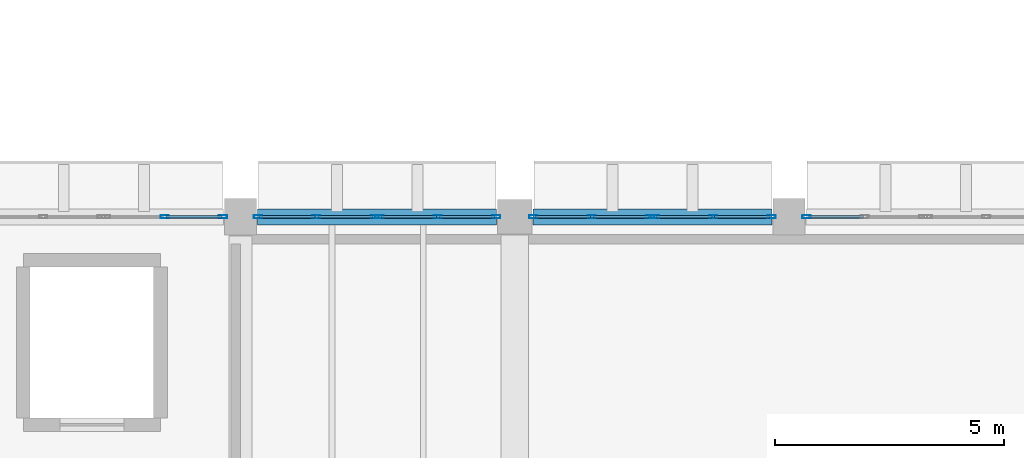
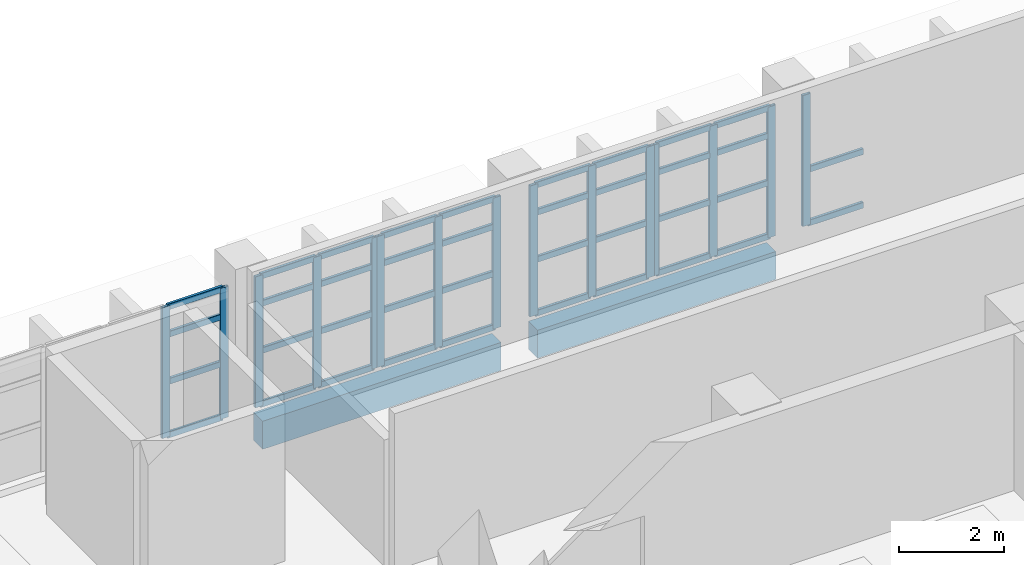
# One storey, part 35 of 80: 53 members, 2 beams, 6 elements without a shape of their own.
"""IFC4 building model written with IfcOpenShell, lengths in metres."""

from ifc_helpers import new_model, si_unit, direction, frame, origin, origin_2d, place, context, subcontext, project, spatial, rectangle, hollow_rectangle, extrude, material, material_profile, profile_set, type_object, element, aggregate, save


model = new_model("IFC4")

# Units and contexts
model_context = context("Model", 3, precision=1e-05, world=origin(), true_north=direction((0.0, 1.0)))
body_context = subcontext(model_context, "Body", "Model", "MODEL_VIEW")
ifc_project = project(units=[si_unit("LENGTHUNIT", "METRE"), si_unit("AREAUNIT", "SQUARE_METRE"), si_unit("VOLUMEUNIT", "CUBIC_METRE"), si_unit("PLANEANGLEUNIT", "RADIAN"), si_unit("MASSUNIT", "GRAM", prefix="KILO")], contexts=[model_context])

# Site, building, storey
site_placement = place(None, origin())
site = spatial("IfcSite", under=ifc_project, at=site_placement, CompositionType="ELEMENT")
building_placement = place(site_placement, origin())
building = spatial("IfcBuilding", under=site, at=building_placement, Name="Varnakota Cinema and Media Centre", CompositionType="ELEMENT")
storey_placement = place(building_placement, frame((0.0, 0.0, 4.5)))
storey = spatial("IfcBuildingStorey", under=building, at=storey_placement, Name="L01", CompositionType="ELEMENT", Elevation=4.5)

# Beams
ifc_material_1 = material(Name="Concrete M40", Category="concrete")
ifc_material_profile_1 = material_profile(ifc_material_1, rectangle(XDim=0.35009765625, YDim=0.64990234375, at=origin_2d()), Name="RCB 350x650")
ifc_profile_set_1 = profile_set([ifc_material_profile_1], Name="Concrete M40")
beam_type = type_object("IfcBeamType", Name="BM-SP-350x650", PredefinedType="SPANDREL", material=ifc_profile_set_1)
for number, where, z_axis, x_axis, name in (
    (1, (81.375, 44.0, -0.574951171875), (1.0, 0.0, 0.0), (0.0, 1.0, 0.0), "L01 girder L-M/6"),
    (2, (87.39990234375, 44.0, -0.574951171875), (1.0, 0.0, 0.0), (0.0, 1.0, 0.0), "L01 girder M-N/6"),
):
    element("IfcBeam", number, at=place(storey_placement, frame(where, z_axis=z_axis, x_axis=x_axis)), inside=storey, type_object=beam_type, Name=name, PredefinedType="SPANDREL", context=body_context, shape_type="SweptSolid", body=[
        extrude(rectangle(XDim=0.35009765625, YDim=0.64990234375, at=origin_2d()), origin(), (0.0, 0.0, 1.0), 5.22509765625),
    ])

# Curtain wall, members
ifc_material_2 = material(Name="Thermally broken anodised aluminium AW-6063", Category="aluminium")
curtain_wall_type = type_object("IfcCurtainWallType", Name="CW-STD-262x304", PredefinedType="USERDEFINED", material=ifc_material_2)
curtain_wall_1_placement = place(storey_placement, origin())
curtain_wall_1 = element("IfcCurtainWall", 3, at=curtain_wall_1_placement, inside=storey, type_object=curtain_wall_type, Name="L01 curtain wall CW-L01-V1-N-01-2", ObjectType="UNITISED CURTAIN WALL", PredefinedType="USERDEFINED")
ifc_material_3 = material(Name="Thermally broken anodised aluminium AW-6063", Category="aluminium")
ifc_material_profile_2 = material_profile(ifc_material_3, hollow_rectangle(XDim=0.06494140625, YDim=0.179931640625, WallThickness=0.00390625, InnerFilletRadius=0.00390625, OuterFilletRadius=0.008056640625, at=origin_2d()), Name="AL-MULLION 180x65x4")
ifc_profile_set_2 = profile_set([ifc_material_profile_2], Name="Thermally broken anodised aluminium AW-6063")
member_type_1 = type_object("IfcMemberType", Name="CWM-AL-180", PredefinedType="MULLION", material=ifc_profile_set_2)
member_1_placement = place(storey_placement, frame((79.34130859375, 44.0, 0.0), z_axis=(0.0, 0.0, 1.0), x_axis=(0.0, 1.0, 0.0)))
member_1 = element("IfcMember", 4, at=member_1_placement, type_object=member_type_1, Name="CW17 mullion 2", PredefinedType="MULLION", context=body_context, shape_type="SweptSolid", body=[
    extrude(hollow_rectangle(XDim=0.06494140625, YDim=0.179931640625, WallThickness=0.00390625, InnerFilletRadius=0.00390625, OuterFilletRadius=0.008056640625, at=origin_2d()), origin(), (0.0, 0.0, 1.0), 3.034912109375),
])
member_2_placement = place(storey_placement, frame((80.617431640625, 44.0, 0.0), z_axis=(0.0, 0.0, 1.0), x_axis=(0.0, 1.0, 0.0)))
member_2 = element("IfcMember", 5, at=member_2_placement, type_object=member_type_1, Name="CW17 mullion 3", PredefinedType="MULLION", context=body_context, shape_type="SweptSolid", body=[
    extrude(hollow_rectangle(XDim=0.06494140625, YDim=0.179931640625, WallThickness=0.00390625, InnerFilletRadius=0.00390625, OuterFilletRadius=0.008056640625, at=origin_2d()), origin(), (0.0, 0.0, 1.0), 3.034912109375),
])

curtain_wall_2_placement = place(storey_placement, origin())
curtain_wall_2 = element("IfcCurtainWall", 6, at=curtain_wall_2_placement, inside=storey, type_object=curtain_wall_type, Name="L01 curtain wall CW-L01-V1-N-02-1", ObjectType="UNITISED CURTAIN WALL", PredefinedType="USERDEFINED")
member_3_placement = place(storey_placement, frame((81.382568359375, 44.0, 0.0), z_axis=(0.0, 0.0, 1.0), x_axis=(0.0, 1.0, 0.0)))
member_3 = element("IfcMember", 7, at=member_3_placement, type_object=member_type_1, Name="CW17 mullion 1", PredefinedType="MULLION", context=body_context, shape_type="SweptSolid", body=[
    extrude(hollow_rectangle(XDim=0.06494140625, YDim=0.179931640625, WallThickness=0.00390625, InnerFilletRadius=0.00390625, OuterFilletRadius=0.008056640625, at=origin_2d()), origin(), (0.0, 0.0, 1.0), 3.034912109375),
])
member_4_placement = place(storey_placement, frame((82.65869140625, 44.0, 0.0), z_axis=(0.0, 0.0, 1.0), x_axis=(0.0, 1.0, 0.0)))
member_4 = element("IfcMember", 8, at=member_4_placement, type_object=member_type_1, Name="CW17 mullion 2", PredefinedType="MULLION", context=body_context, shape_type="SweptSolid", body=[
    extrude(hollow_rectangle(XDim=0.06494140625, YDim=0.179931640625, WallThickness=0.00390625, InnerFilletRadius=0.00390625, OuterFilletRadius=0.008056640625, at=origin_2d()), origin(), (0.0, 0.0, 1.0), 3.034912109375),
])
member_5_placement = place(storey_placement, frame((83.93505859375, 44.0, 0.0), z_axis=(0.0, 0.0, 1.0), x_axis=(0.0, 1.0, 0.0)))
member_5 = element("IfcMember", 9, at=member_5_placement, type_object=member_type_1, Name="CW17 mullion 3", PredefinedType="MULLION", context=body_context, shape_type="SweptSolid", body=[
    extrude(hollow_rectangle(XDim=0.06494140625, YDim=0.179931640625, WallThickness=0.00390625, InnerFilletRadius=0.00390625, OuterFilletRadius=0.008056640625, at=origin_2d()), origin(), (0.0, 0.0, 1.0), 3.034912109375),
])

curtain_wall_3_placement = place(storey_placement, origin())
curtain_wall_3 = element("IfcCurtainWall", 10, at=curtain_wall_3_placement, inside=storey, type_object=curtain_wall_type, Name="L01 curtain wall CW-L01-V1-N-02-2", ObjectType="UNITISED CURTAIN WALL", PredefinedType="USERDEFINED")
member_6_placement = place(storey_placement, frame((84.0400390625, 44.0, 0.0), z_axis=(0.0, 0.0, 1.0), x_axis=(0.0, 1.0, 0.0)))
member_6 = element("IfcMember", 11, at=member_6_placement, type_object=member_type_1, Name="CW17 mullion 1", PredefinedType="MULLION", context=body_context, shape_type="SweptSolid", body=[
    extrude(hollow_rectangle(XDim=0.06494140625, YDim=0.179931640625, WallThickness=0.00390625, InnerFilletRadius=0.00390625, OuterFilletRadius=0.008056640625, at=origin_2d()), origin(), (0.0, 0.0, 1.0), 3.034912109375),
])
member_7_placement = place(storey_placement, frame((85.316162109375, 44.0, 0.0), z_axis=(0.0, 0.0, 1.0), x_axis=(0.0, 1.0, 0.0)))
member_7 = element("IfcMember", 12, at=member_7_placement, type_object=member_type_1, Name="CW17 mullion 2", PredefinedType="MULLION", context=body_context, shape_type="SweptSolid", body=[
    extrude(hollow_rectangle(XDim=0.06494140625, YDim=0.179931640625, WallThickness=0.00390625, InnerFilletRadius=0.00390625, OuterFilletRadius=0.008056640625, at=origin_2d()), origin(), (0.0, 0.0, 1.0), 3.034912109375),
])
member_8_placement = place(storey_placement, frame((86.592529296875, 44.0, 0.0), z_axis=(0.0, 0.0, 1.0), x_axis=(0.0, 1.0, 0.0)))
member_8 = element("IfcMember", 13, at=member_8_placement, type_object=member_type_1, Name="CW17 mullion 3", PredefinedType="MULLION", context=body_context, shape_type="SweptSolid", body=[
    extrude(hollow_rectangle(XDim=0.06494140625, YDim=0.179931640625, WallThickness=0.00390625, InnerFilletRadius=0.00390625, OuterFilletRadius=0.008056640625, at=origin_2d()), origin(), (0.0, 0.0, 1.0), 3.034912109375),
])

curtain_wall_4_placement = place(storey_placement, origin())
curtain_wall_4 = element("IfcCurtainWall", 14, at=curtain_wall_4_placement, inside=storey, type_object=curtain_wall_type, Name="L01 curtain wall CW-L01-V1-N-03-1", ObjectType="UNITISED CURTAIN WALL", PredefinedType="USERDEFINED")
member_9_placement = place(storey_placement, frame((87.407470703125, 44.0, 0.0), z_axis=(0.0, 0.0, 1.0), x_axis=(0.0, 1.0, 0.0)))
member_9 = element("IfcMember", 15, at=member_9_placement, type_object=member_type_1, Name="CW17 mullion 1", PredefinedType="MULLION", context=body_context, shape_type="SweptSolid", body=[
    extrude(hollow_rectangle(XDim=0.06494140625, YDim=0.179931640625, WallThickness=0.00390625, InnerFilletRadius=0.00390625, OuterFilletRadius=0.008056640625, at=origin_2d()), origin(), (0.0, 0.0, 1.0), 3.034912109375),
])
member_10_placement = place(storey_placement, frame((88.683837890625, 44.0, 0.0), z_axis=(0.0, 0.0, 1.0), x_axis=(0.0, 1.0, 0.0)))
member_10 = element("IfcMember", 16, at=member_10_placement, type_object=member_type_1, Name="CW17 mullion 2", PredefinedType="MULLION", context=body_context, shape_type="SweptSolid", body=[
    extrude(hollow_rectangle(XDim=0.06494140625, YDim=0.179931640625, WallThickness=0.00390625, InnerFilletRadius=0.00390625, OuterFilletRadius=0.008056640625, at=origin_2d()), origin(), (0.0, 0.0, 1.0), 3.034912109375),
])
member_11_placement = place(storey_placement, frame((89.9599609375, 44.0, 0.0), z_axis=(0.0, 0.0, 1.0), x_axis=(0.0, 1.0, 0.0)))
member_11 = element("IfcMember", 17, at=member_11_placement, type_object=member_type_1, Name="CW17 mullion 3", PredefinedType="MULLION", context=body_context, shape_type="SweptSolid", body=[
    extrude(hollow_rectangle(XDim=0.06494140625, YDim=0.179931640625, WallThickness=0.00390625, InnerFilletRadius=0.00390625, OuterFilletRadius=0.008056640625, at=origin_2d()), origin(), (0.0, 0.0, 1.0), 3.034912109375),
])

curtain_wall_5_placement = place(storey_placement, origin())
curtain_wall_5 = element("IfcCurtainWall", 18, at=curtain_wall_5_placement, inside=storey, type_object=curtain_wall_type, Name="L01 curtain wall CW-L01-V1-N-03-2", ObjectType="UNITISED CURTAIN WALL", PredefinedType="USERDEFINED")
member_12_placement = place(storey_placement, frame((90.06494140625, 44.0, 0.0), z_axis=(0.0, 0.0, 1.0), x_axis=(0.0, 1.0, 0.0)))
member_12 = element("IfcMember", 19, at=member_12_placement, type_object=member_type_1, Name="CW17 mullion 1", PredefinedType="MULLION", context=body_context, shape_type="SweptSolid", body=[
    extrude(hollow_rectangle(XDim=0.06494140625, YDim=0.179931640625, WallThickness=0.00390625, InnerFilletRadius=0.00390625, OuterFilletRadius=0.008056640625, at=origin_2d()), origin(), (0.0, 0.0, 1.0), 3.034912109375),
])
member_13_placement = place(storey_placement, frame((91.34130859375, 44.0, 0.0), z_axis=(0.0, 0.0, 1.0), x_axis=(0.0, 1.0, 0.0)))
member_13 = element("IfcMember", 20, at=member_13_placement, type_object=member_type_1, Name="CW17 mullion 2", PredefinedType="MULLION", context=body_context, shape_type="SweptSolid", body=[
    extrude(hollow_rectangle(XDim=0.06494140625, YDim=0.179931640625, WallThickness=0.00390625, InnerFilletRadius=0.00390625, OuterFilletRadius=0.008056640625, at=origin_2d()), origin(), (0.0, 0.0, 1.0), 3.034912109375),
])
member_14_placement = place(storey_placement, frame((92.617431640625, 44.0, 0.0), z_axis=(0.0, 0.0, 1.0), x_axis=(0.0, 1.0, 0.0)))
member_14 = element("IfcMember", 21, at=member_14_placement, type_object=member_type_1, Name="CW17 mullion 3", PredefinedType="MULLION", context=body_context, shape_type="SweptSolid", body=[
    extrude(hollow_rectangle(XDim=0.06494140625, YDim=0.179931640625, WallThickness=0.00390625, InnerFilletRadius=0.00390625, OuterFilletRadius=0.008056640625, at=origin_2d()), origin(), (0.0, 0.0, 1.0), 3.034912109375),
])

# Curtain wall, member
curtain_wall_6_placement = place(storey_placement, origin())
curtain_wall_6 = element("IfcCurtainWall", 22, at=curtain_wall_6_placement, inside=storey, type_object=curtain_wall_type, Name="L01 curtain wall CW-L01-V1-N-04-1", ObjectType="UNITISED CURTAIN WALL", PredefinedType="USERDEFINED")
member_15_placement = place(storey_placement, frame((93.382568359375, 44.0, 0.0), z_axis=(0.0, 0.0, 1.0), x_axis=(0.0, 1.0, 0.0)))
member_15 = element("IfcMember", 23, at=member_15_placement, type_object=member_type_1, Name="CW17 mullion 1", PredefinedType="MULLION", context=body_context, shape_type="SweptSolid", body=[
    extrude(hollow_rectangle(XDim=0.06494140625, YDim=0.179931640625, WallThickness=0.00390625, InnerFilletRadius=0.00390625, OuterFilletRadius=0.008056640625, at=origin_2d()), origin(), (0.0, 0.0, 1.0), 3.034912109375),
])

# Member
ifc_material_4 = material(Name="Thermally broken anodised aluminium AW-6063", Category="aluminium")
ifc_material_profile_3 = material_profile(ifc_material_4, hollow_rectangle(XDim=0.06494140625, YDim=0.139892578125, WallThickness=0.00390625, InnerFilletRadius=0.00390625, OuterFilletRadius=0.008056640625, at=origin_2d()), Name="AL-TRANSOM 140x65x4")
ifc_profile_set_3 = profile_set([ifc_material_profile_3], Name="Thermally broken anodised aluminium AW-6063")
member_type_2 = type_object("IfcMemberType", Name="CWT-AL-140", PredefinedType="USERDEFINED", material=ifc_profile_set_3)
member_16_placement = place(storey_placement, frame((79.373779296875, 44.0, 0.032470703125), z_axis=(1.0, 0.0, 0.0), x_axis=(0.0, 1.0, 0.0)))
member_16 = element("IfcMember", 24, at=member_16_placement, type_object=member_type_2, Name="CW17 transom 2.1", ObjectType="TRANSOM", PredefinedType="USERDEFINED", context=body_context, shape_type="SweptSolid", body=[
    extrude(hollow_rectangle(XDim=0.06494140625, YDim=0.139892578125, WallThickness=0.00390625, InnerFilletRadius=0.00390625, OuterFilletRadius=0.008056640625, at=origin_2d()), origin(), (0.0, 0.0, 1.0), 1.211181640625),
])

member_17_placement = place(storey_placement, frame((79.373779296875, 44.0, 1.274658203125), z_axis=(1.0, 0.0, 0.0), x_axis=(0.0, 1.0, 0.0)))
member_17 = element("IfcMember", 25, at=member_17_placement, type_object=member_type_2, Name="CW17 transom 2.2", ObjectType="TRANSOM", PredefinedType="USERDEFINED", context=body_context, shape_type="SweptSolid", body=[
    extrude(hollow_rectangle(XDim=0.06494140625, YDim=0.139892578125, WallThickness=0.00390625, InnerFilletRadius=0.00390625, OuterFilletRadius=0.008056640625, at=origin_2d()), origin(), (0.0, 0.0, 1.0), 1.211181640625),
])

member_18_placement = place(storey_placement, frame((79.373779296875, 44.0, 2.3671875), z_axis=(1.0, 0.0, 0.0), x_axis=(0.0, 1.0, 0.0)))
member_18 = element("IfcMember", 26, at=member_18_placement, type_object=member_type_2, Name="CW17 transom 2.3", ObjectType="TRANSOM", PredefinedType="USERDEFINED", context=body_context, shape_type="SweptSolid", body=[
    extrude(hollow_rectangle(XDim=0.06494140625, YDim=0.139892578125, WallThickness=0.00390625, InnerFilletRadius=0.00390625, OuterFilletRadius=0.008056640625, at=origin_2d()), origin(), (0.0, 0.0, 1.0), 1.211181640625),
])

member_19_placement = place(storey_placement, frame((79.373779296875, 44.0, 3.00244140625), z_axis=(1.0, 0.0, 0.0), x_axis=(0.0, 1.0, 0.0)))
member_19 = element("IfcMember", 27, at=member_19_placement, type_object=member_type_2, Name="CW17 transom 2.4", ObjectType="TRANSOM", PredefinedType="USERDEFINED", context=body_context, shape_type="SweptSolid", body=[
    extrude(hollow_rectangle(XDim=0.06494140625, YDim=0.139892578125, WallThickness=0.00390625, InnerFilletRadius=0.00390625, OuterFilletRadius=0.008056640625, at=origin_2d()), origin(), (0.0, 0.0, 1.0), 1.211181640625),
])

aggregate(curtain_wall_1, [member_1, member_2, member_16, member_17, member_18, member_19])

member_20_placement = place(storey_placement, frame((81.4150390625, 44.0, 0.032470703125), z_axis=(1.0, 0.0, 0.0), x_axis=(0.0, 1.0, 0.0)))
member_20 = element("IfcMember", 28, at=member_20_placement, type_object=member_type_2, Name="CW17 transom 1.1", ObjectType="TRANSOM", PredefinedType="USERDEFINED", context=body_context, shape_type="SweptSolid", body=[
    extrude(hollow_rectangle(XDim=0.06494140625, YDim=0.139892578125, WallThickness=0.00390625, InnerFilletRadius=0.00390625, OuterFilletRadius=0.008056640625, at=origin_2d()), origin(), (0.0, 0.0, 1.0), 1.211181640625),
])

member_21_placement = place(storey_placement, frame((81.4150390625, 44.0, 1.274658203125), z_axis=(1.0, 0.0, 0.0), x_axis=(0.0, 1.0, 0.0)))
member_21 = element("IfcMember", 29, at=member_21_placement, type_object=member_type_2, Name="CW17 transom 1.2", ObjectType="TRANSOM", PredefinedType="USERDEFINED", context=body_context, shape_type="SweptSolid", body=[
    extrude(hollow_rectangle(XDim=0.06494140625, YDim=0.139892578125, WallThickness=0.00390625, InnerFilletRadius=0.00390625, OuterFilletRadius=0.008056640625, at=origin_2d()), origin(), (0.0, 0.0, 1.0), 1.211181640625),
])

member_22_placement = place(storey_placement, frame((81.4150390625, 44.0, 2.3671875), z_axis=(1.0, 0.0, 0.0), x_axis=(0.0, 1.0, 0.0)))
member_22 = element("IfcMember", 30, at=member_22_placement, type_object=member_type_2, Name="CW17 transom 1.3", ObjectType="TRANSOM", PredefinedType="USERDEFINED", context=body_context, shape_type="SweptSolid", body=[
    extrude(hollow_rectangle(XDim=0.06494140625, YDim=0.139892578125, WallThickness=0.00390625, InnerFilletRadius=0.00390625, OuterFilletRadius=0.008056640625, at=origin_2d()), origin(), (0.0, 0.0, 1.0), 1.211181640625),
])

member_23_placement = place(storey_placement, frame((81.4150390625, 44.0, 3.00244140625), z_axis=(1.0, 0.0, 0.0), x_axis=(0.0, 1.0, 0.0)))
member_23 = element("IfcMember", 31, at=member_23_placement, type_object=member_type_2, Name="CW17 transom 1.4", ObjectType="TRANSOM", PredefinedType="USERDEFINED", context=body_context, shape_type="SweptSolid", body=[
    extrude(hollow_rectangle(XDim=0.06494140625, YDim=0.139892578125, WallThickness=0.00390625, InnerFilletRadius=0.00390625, OuterFilletRadius=0.008056640625, at=origin_2d()), origin(), (0.0, 0.0, 1.0), 1.211181640625),
])

member_24_placement = place(storey_placement, frame((82.691162109375, 44.0, 0.032470703125), z_axis=(1.0, 0.0, 0.0), x_axis=(0.0, 1.0, 0.0)))
member_24 = element("IfcMember", 32, at=member_24_placement, type_object=member_type_2, Name="CW17 transom 2.1", ObjectType="TRANSOM", PredefinedType="USERDEFINED", context=body_context, shape_type="SweptSolid", body=[
    extrude(hollow_rectangle(XDim=0.06494140625, YDim=0.139892578125, WallThickness=0.00390625, InnerFilletRadius=0.00390625, OuterFilletRadius=0.008056640625, at=origin_2d()), origin(), (0.0, 0.0, 1.0), 1.21142578125),
])

member_25_placement = place(storey_placement, frame((82.691162109375, 44.0, 1.274658203125), z_axis=(1.0, 0.0, 0.0), x_axis=(0.0, 1.0, 0.0)))
member_25 = element("IfcMember", 33, at=member_25_placement, type_object=member_type_2, Name="CW17 transom 2.2", ObjectType="TRANSOM", PredefinedType="USERDEFINED", context=body_context, shape_type="SweptSolid", body=[
    extrude(hollow_rectangle(XDim=0.06494140625, YDim=0.139892578125, WallThickness=0.00390625, InnerFilletRadius=0.00390625, OuterFilletRadius=0.008056640625, at=origin_2d()), origin(), (0.0, 0.0, 1.0), 1.21142578125),
])

member_26_placement = place(storey_placement, frame((82.691162109375, 44.0, 2.3671875), z_axis=(1.0, 0.0, 0.0), x_axis=(0.0, 1.0, 0.0)))
member_26 = element("IfcMember", 34, at=member_26_placement, type_object=member_type_2, Name="CW17 transom 2.3", ObjectType="TRANSOM", PredefinedType="USERDEFINED", context=body_context, shape_type="SweptSolid", body=[
    extrude(hollow_rectangle(XDim=0.06494140625, YDim=0.139892578125, WallThickness=0.00390625, InnerFilletRadius=0.00390625, OuterFilletRadius=0.008056640625, at=origin_2d()), origin(), (0.0, 0.0, 1.0), 1.21142578125),
])

member_27_placement = place(storey_placement, frame((82.691162109375, 44.0, 3.00244140625), z_axis=(1.0, 0.0, 0.0), x_axis=(0.0, 1.0, 0.0)))
member_27 = element("IfcMember", 35, at=member_27_placement, type_object=member_type_2, Name="CW17 transom 2.4", ObjectType="TRANSOM", PredefinedType="USERDEFINED", context=body_context, shape_type="SweptSolid", body=[
    extrude(hollow_rectangle(XDim=0.06494140625, YDim=0.139892578125, WallThickness=0.00390625, InnerFilletRadius=0.00390625, OuterFilletRadius=0.008056640625, at=origin_2d()), origin(), (0.0, 0.0, 1.0), 1.21142578125),
])

aggregate(curtain_wall_2, [member_3, member_4, member_5, member_20, member_21, member_22, member_23, member_24, member_25, member_26, member_27])

member_28_placement = place(storey_placement, frame((84.072509765625, 44.0, 0.032470703125), z_axis=(1.0, 0.0, 0.0), x_axis=(0.0, 1.0, 0.0)))
member_28 = element("IfcMember", 36, at=member_28_placement, type_object=member_type_2, Name="CW17 transom 1.1", ObjectType="TRANSOM", PredefinedType="USERDEFINED", context=body_context, shape_type="SweptSolid", body=[
    extrude(hollow_rectangle(XDim=0.06494140625, YDim=0.139892578125, WallThickness=0.00390625, InnerFilletRadius=0.00390625, OuterFilletRadius=0.008056640625, at=origin_2d()), origin(), (0.0, 0.0, 1.0), 1.211181640625),
])

member_29_placement = place(storey_placement, frame((84.072509765625, 44.0, 1.274658203125), z_axis=(1.0, 0.0, 0.0), x_axis=(0.0, 1.0, 0.0)))
member_29 = element("IfcMember", 37, at=member_29_placement, type_object=member_type_2, Name="CW17 transom 1.2", ObjectType="TRANSOM", PredefinedType="USERDEFINED", context=body_context, shape_type="SweptSolid", body=[
    extrude(hollow_rectangle(XDim=0.06494140625, YDim=0.139892578125, WallThickness=0.00390625, InnerFilletRadius=0.00390625, OuterFilletRadius=0.008056640625, at=origin_2d()), origin(), (0.0, 0.0, 1.0), 1.211181640625),
])

member_30_placement = place(storey_placement, frame((84.072509765625, 44.0, 2.3671875), z_axis=(1.0, 0.0, 0.0), x_axis=(0.0, 1.0, 0.0)))
member_30 = element("IfcMember", 38, at=member_30_placement, type_object=member_type_2, Name="CW17 transom 1.3", ObjectType="TRANSOM", PredefinedType="USERDEFINED", context=body_context, shape_type="SweptSolid", body=[
    extrude(hollow_rectangle(XDim=0.06494140625, YDim=0.139892578125, WallThickness=0.00390625, InnerFilletRadius=0.00390625, OuterFilletRadius=0.008056640625, at=origin_2d()), origin(), (0.0, 0.0, 1.0), 1.211181640625),
])

member_31_placement = place(storey_placement, frame((84.072509765625, 44.0, 3.00244140625), z_axis=(1.0, 0.0, 0.0), x_axis=(0.0, 1.0, 0.0)))
member_31 = element("IfcMember", 39, at=member_31_placement, type_object=member_type_2, Name="CW17 transom 1.4", ObjectType="TRANSOM", PredefinedType="USERDEFINED", context=body_context, shape_type="SweptSolid", body=[
    extrude(hollow_rectangle(XDim=0.06494140625, YDim=0.139892578125, WallThickness=0.00390625, InnerFilletRadius=0.00390625, OuterFilletRadius=0.008056640625, at=origin_2d()), origin(), (0.0, 0.0, 1.0), 1.211181640625),
])

member_32_placement = place(storey_placement, frame((85.3486328125, 44.0, 0.032470703125), z_axis=(1.0, 0.0, 0.0), x_axis=(0.0, 1.0, 0.0)))
member_32 = element("IfcMember", 40, at=member_32_placement, type_object=member_type_2, Name="CW17 transom 2.1", ObjectType="TRANSOM", PredefinedType="USERDEFINED", context=body_context, shape_type="SweptSolid", body=[
    extrude(hollow_rectangle(XDim=0.06494140625, YDim=0.139892578125, WallThickness=0.00390625, InnerFilletRadius=0.00390625, OuterFilletRadius=0.008056640625, at=origin_2d()), origin(), (0.0, 0.0, 1.0), 1.21142578125),
])

member_33_placement = place(storey_placement, frame((85.3486328125, 44.0, 1.274658203125), z_axis=(1.0, 0.0, 0.0), x_axis=(0.0, 1.0, 0.0)))
member_33 = element("IfcMember", 41, at=member_33_placement, type_object=member_type_2, Name="CW17 transom 2.2", ObjectType="TRANSOM", PredefinedType="USERDEFINED", context=body_context, shape_type="SweptSolid", body=[
    extrude(hollow_rectangle(XDim=0.06494140625, YDim=0.139892578125, WallThickness=0.00390625, InnerFilletRadius=0.00390625, OuterFilletRadius=0.008056640625, at=origin_2d()), origin(), (0.0, 0.0, 1.0), 1.21142578125),
])

member_34_placement = place(storey_placement, frame((85.3486328125, 44.0, 2.3671875), z_axis=(1.0, 0.0, 0.0), x_axis=(0.0, 1.0, 0.0)))
member_34 = element("IfcMember", 42, at=member_34_placement, type_object=member_type_2, Name="CW17 transom 2.3", ObjectType="TRANSOM", PredefinedType="USERDEFINED", context=body_context, shape_type="SweptSolid", body=[
    extrude(hollow_rectangle(XDim=0.06494140625, YDim=0.139892578125, WallThickness=0.00390625, InnerFilletRadius=0.00390625, OuterFilletRadius=0.008056640625, at=origin_2d()), origin(), (0.0, 0.0, 1.0), 1.21142578125),
])

member_35_placement = place(storey_placement, frame((85.3486328125, 44.0, 3.00244140625), z_axis=(1.0, 0.0, 0.0), x_axis=(0.0, 1.0, 0.0)))
member_35 = element("IfcMember", 43, at=member_35_placement, type_object=member_type_2, Name="CW17 transom 2.4", ObjectType="TRANSOM", PredefinedType="USERDEFINED", context=body_context, shape_type="SweptSolid", body=[
    extrude(hollow_rectangle(XDim=0.06494140625, YDim=0.139892578125, WallThickness=0.00390625, InnerFilletRadius=0.00390625, OuterFilletRadius=0.008056640625, at=origin_2d()), origin(), (0.0, 0.0, 1.0), 1.21142578125),
])

aggregate(curtain_wall_3, [member_6, member_7, member_8, member_28, member_29, member_30, member_31, member_32, member_33, member_34, member_35])

member_36_placement = place(storey_placement, frame((87.43994140625, 44.0, 0.032470703125), z_axis=(1.0, 0.0, 0.0), x_axis=(0.0, 1.0, 0.0)))
member_36 = element("IfcMember", 44, at=member_36_placement, type_object=member_type_2, Name="CW17 transom 1.1", ObjectType="TRANSOM", PredefinedType="USERDEFINED", context=body_context, shape_type="SweptSolid", body=[
    extrude(hollow_rectangle(XDim=0.06494140625, YDim=0.139892578125, WallThickness=0.00390625, InnerFilletRadius=0.00390625, OuterFilletRadius=0.008056640625, at=origin_2d()), origin(), (0.0, 0.0, 1.0), 1.21142578125),
])

member_37_placement = place(storey_placement, frame((87.43994140625, 44.0, 1.274658203125), z_axis=(1.0, 0.0, 0.0), x_axis=(0.0, 1.0, 0.0)))
member_37 = element("IfcMember", 45, at=member_37_placement, type_object=member_type_2, Name="CW17 transom 1.2", ObjectType="TRANSOM", PredefinedType="USERDEFINED", context=body_context, shape_type="SweptSolid", body=[
    extrude(hollow_rectangle(XDim=0.06494140625, YDim=0.139892578125, WallThickness=0.00390625, InnerFilletRadius=0.00390625, OuterFilletRadius=0.008056640625, at=origin_2d()), origin(), (0.0, 0.0, 1.0), 1.21142578125),
])

member_38_placement = place(storey_placement, frame((87.43994140625, 44.0, 2.3671875), z_axis=(1.0, 0.0, 0.0), x_axis=(0.0, 1.0, 0.0)))
member_38 = element("IfcMember", 46, at=member_38_placement, type_object=member_type_2, Name="CW17 transom 1.3", ObjectType="TRANSOM", PredefinedType="USERDEFINED", context=body_context, shape_type="SweptSolid", body=[
    extrude(hollow_rectangle(XDim=0.06494140625, YDim=0.139892578125, WallThickness=0.00390625, InnerFilletRadius=0.00390625, OuterFilletRadius=0.008056640625, at=origin_2d()), origin(), (0.0, 0.0, 1.0), 1.21142578125),
])

member_39_placement = place(storey_placement, frame((87.43994140625, 44.0, 3.00244140625), z_axis=(1.0, 0.0, 0.0), x_axis=(0.0, 1.0, 0.0)))
member_39 = element("IfcMember", 47, at=member_39_placement, type_object=member_type_2, Name="CW17 transom 1.4", ObjectType="TRANSOM", PredefinedType="USERDEFINED", context=body_context, shape_type="SweptSolid", body=[
    extrude(hollow_rectangle(XDim=0.06494140625, YDim=0.139892578125, WallThickness=0.00390625, InnerFilletRadius=0.00390625, OuterFilletRadius=0.008056640625, at=origin_2d()), origin(), (0.0, 0.0, 1.0), 1.21142578125),
])

member_40_placement = place(storey_placement, frame((88.71630859375, 44.0, 0.032470703125), z_axis=(1.0, 0.0, 0.0), x_axis=(0.0, 1.0, 0.0)))
member_40 = element("IfcMember", 48, at=member_40_placement, type_object=member_type_2, Name="CW17 transom 2.1", ObjectType="TRANSOM", PredefinedType="USERDEFINED", context=body_context, shape_type="SweptSolid", body=[
    extrude(hollow_rectangle(XDim=0.06494140625, YDim=0.139892578125, WallThickness=0.00390625, InnerFilletRadius=0.00390625, OuterFilletRadius=0.008056640625, at=origin_2d()), origin(), (0.0, 0.0, 1.0), 1.211181640625),
])

member_41_placement = place(storey_placement, frame((88.71630859375, 44.0, 1.274658203125), z_axis=(1.0, 0.0, 0.0), x_axis=(0.0, 1.0, 0.0)))
member_41 = element("IfcMember", 49, at=member_41_placement, type_object=member_type_2, Name="CW17 transom 2.2", ObjectType="TRANSOM", PredefinedType="USERDEFINED", context=body_context, shape_type="SweptSolid", body=[
    extrude(hollow_rectangle(XDim=0.06494140625, YDim=0.139892578125, WallThickness=0.00390625, InnerFilletRadius=0.00390625, OuterFilletRadius=0.008056640625, at=origin_2d()), origin(), (0.0, 0.0, 1.0), 1.211181640625),
])

member_42_placement = place(storey_placement, frame((88.71630859375, 44.0, 2.3671875), z_axis=(1.0, 0.0, 0.0), x_axis=(0.0, 1.0, 0.0)))
member_42 = element("IfcMember", 50, at=member_42_placement, type_object=member_type_2, Name="CW17 transom 2.3", ObjectType="TRANSOM", PredefinedType="USERDEFINED", context=body_context, shape_type="SweptSolid", body=[
    extrude(hollow_rectangle(XDim=0.06494140625, YDim=0.139892578125, WallThickness=0.00390625, InnerFilletRadius=0.00390625, OuterFilletRadius=0.008056640625, at=origin_2d()), origin(), (0.0, 0.0, 1.0), 1.211181640625),
])

member_43_placement = place(storey_placement, frame((88.71630859375, 44.0, 3.00244140625), z_axis=(1.0, 0.0, 0.0), x_axis=(0.0, 1.0, 0.0)))
member_43 = element("IfcMember", 51, at=member_43_placement, type_object=member_type_2, Name="CW17 transom 2.4", ObjectType="TRANSOM", PredefinedType="USERDEFINED", context=body_context, shape_type="SweptSolid", body=[
    extrude(hollow_rectangle(XDim=0.06494140625, YDim=0.139892578125, WallThickness=0.00390625, InnerFilletRadius=0.00390625, OuterFilletRadius=0.008056640625, at=origin_2d()), origin(), (0.0, 0.0, 1.0), 1.211181640625),
])

aggregate(curtain_wall_4, [member_9, member_10, member_11, member_36, member_37, member_38, member_39, member_40, member_41, member_42, member_43])

member_44_placement = place(storey_placement, frame((90.097412109375, 44.0, 0.032470703125), z_axis=(1.0, 0.0, 0.0), x_axis=(0.0, 1.0, 0.0)))
member_44 = element("IfcMember", 52, at=member_44_placement, type_object=member_type_2, Name="CW17 transom 1.1", ObjectType="TRANSOM", PredefinedType="USERDEFINED", context=body_context, shape_type="SweptSolid", body=[
    extrude(hollow_rectangle(XDim=0.06494140625, YDim=0.139892578125, WallThickness=0.00390625, InnerFilletRadius=0.00390625, OuterFilletRadius=0.008056640625, at=origin_2d()), origin(), (0.0, 0.0, 1.0), 1.21142578125),
])

member_45_placement = place(storey_placement, frame((90.097412109375, 44.0, 1.274658203125), z_axis=(1.0, 0.0, 0.0), x_axis=(0.0, 1.0, 0.0)))
member_45 = element("IfcMember", 53, at=member_45_placement, type_object=member_type_2, Name="CW17 transom 1.2", ObjectType="TRANSOM", PredefinedType="USERDEFINED", context=body_context, shape_type="SweptSolid", body=[
    extrude(hollow_rectangle(XDim=0.06494140625, YDim=0.139892578125, WallThickness=0.00390625, InnerFilletRadius=0.00390625, OuterFilletRadius=0.008056640625, at=origin_2d()), origin(), (0.0, 0.0, 1.0), 1.21142578125),
])

member_46_placement = place(storey_placement, frame((90.097412109375, 44.0, 2.3671875), z_axis=(1.0, 0.0, 0.0), x_axis=(0.0, 1.0, 0.0)))
member_46 = element("IfcMember", 54, at=member_46_placement, type_object=member_type_2, Name="CW17 transom 1.3", ObjectType="TRANSOM", PredefinedType="USERDEFINED", context=body_context, shape_type="SweptSolid", body=[
    extrude(hollow_rectangle(XDim=0.06494140625, YDim=0.139892578125, WallThickness=0.00390625, InnerFilletRadius=0.00390625, OuterFilletRadius=0.008056640625, at=origin_2d()), origin(), (0.0, 0.0, 1.0), 1.21142578125),
])

member_47_placement = place(storey_placement, frame((90.097412109375, 44.0, 3.00244140625), z_axis=(1.0, 0.0, 0.0), x_axis=(0.0, 1.0, 0.0)))
member_47 = element("IfcMember", 55, at=member_47_placement, type_object=member_type_2, Name="CW17 transom 1.4", ObjectType="TRANSOM", PredefinedType="USERDEFINED", context=body_context, shape_type="SweptSolid", body=[
    extrude(hollow_rectangle(XDim=0.06494140625, YDim=0.139892578125, WallThickness=0.00390625, InnerFilletRadius=0.00390625, OuterFilletRadius=0.008056640625, at=origin_2d()), origin(), (0.0, 0.0, 1.0), 1.21142578125),
])

member_48_placement = place(storey_placement, frame((91.373779296875, 44.0, 0.032470703125), z_axis=(1.0, 0.0, 0.0), x_axis=(0.0, 1.0, 0.0)))
member_48 = element("IfcMember", 56, at=member_48_placement, type_object=member_type_2, Name="CW17 transom 2.1", ObjectType="TRANSOM", PredefinedType="USERDEFINED", context=body_context, shape_type="SweptSolid", body=[
    extrude(hollow_rectangle(XDim=0.06494140625, YDim=0.139892578125, WallThickness=0.00390625, InnerFilletRadius=0.00390625, OuterFilletRadius=0.008056640625, at=origin_2d()), origin(), (0.0, 0.0, 1.0), 1.211181640625),
])

member_49_placement = place(storey_placement, frame((91.373779296875, 44.0, 1.274658203125), z_axis=(1.0, 0.0, 0.0), x_axis=(0.0, 1.0, 0.0)))
member_49 = element("IfcMember", 57, at=member_49_placement, type_object=member_type_2, Name="CW17 transom 2.2", ObjectType="TRANSOM", PredefinedType="USERDEFINED", context=body_context, shape_type="SweptSolid", body=[
    extrude(hollow_rectangle(XDim=0.06494140625, YDim=0.139892578125, WallThickness=0.00390625, InnerFilletRadius=0.00390625, OuterFilletRadius=0.008056640625, at=origin_2d()), origin(), (0.0, 0.0, 1.0), 1.211181640625),
])

member_50_placement = place(storey_placement, frame((91.373779296875, 44.0, 2.3671875), z_axis=(1.0, 0.0, 0.0), x_axis=(0.0, 1.0, 0.0)))
member_50 = element("IfcMember", 58, at=member_50_placement, type_object=member_type_2, Name="CW17 transom 2.3", ObjectType="TRANSOM", PredefinedType="USERDEFINED", context=body_context, shape_type="SweptSolid", body=[
    extrude(hollow_rectangle(XDim=0.06494140625, YDim=0.139892578125, WallThickness=0.00390625, InnerFilletRadius=0.00390625, OuterFilletRadius=0.008056640625, at=origin_2d()), origin(), (0.0, 0.0, 1.0), 1.211181640625),
])

member_51_placement = place(storey_placement, frame((91.373779296875, 44.0, 3.00244140625), z_axis=(1.0, 0.0, 0.0), x_axis=(0.0, 1.0, 0.0)))
member_51 = element("IfcMember", 59, at=member_51_placement, type_object=member_type_2, Name="CW17 transom 2.4", ObjectType="TRANSOM", PredefinedType="USERDEFINED", context=body_context, shape_type="SweptSolid", body=[
    extrude(hollow_rectangle(XDim=0.06494140625, YDim=0.139892578125, WallThickness=0.00390625, InnerFilletRadius=0.00390625, OuterFilletRadius=0.008056640625, at=origin_2d()), origin(), (0.0, 0.0, 1.0), 1.211181640625),
])

aggregate(curtain_wall_5, [member_12, member_13, member_14, member_44, member_45, member_46, member_47, member_48, member_49, member_50, member_51])

member_52_placement = place(storey_placement, frame((93.4150390625, 44.0, 0.032470703125), z_axis=(1.0, 0.0, 0.0), x_axis=(0.0, 1.0, 0.0)))
member_52 = element("IfcMember", 60, at=member_52_placement, type_object=member_type_2, Name="CW17 transom 1.1", ObjectType="TRANSOM", PredefinedType="USERDEFINED", context=body_context, shape_type="SweptSolid", body=[
    extrude(hollow_rectangle(XDim=0.06494140625, YDim=0.139892578125, WallThickness=0.00390625, InnerFilletRadius=0.00390625, OuterFilletRadius=0.008056640625, at=origin_2d()), origin(), (0.0, 0.0, 1.0), 1.211181640625),
])

member_53_placement = place(storey_placement, frame((93.4150390625, 44.0, 1.274658203125), z_axis=(1.0, 0.0, 0.0), x_axis=(0.0, 1.0, 0.0)))
member_53 = element("IfcMember", 61, at=member_53_placement, type_object=member_type_2, Name="CW17 transom 1.2", ObjectType="TRANSOM", PredefinedType="USERDEFINED", context=body_context, shape_type="SweptSolid", body=[
    extrude(hollow_rectangle(XDim=0.06494140625, YDim=0.139892578125, WallThickness=0.00390625, InnerFilletRadius=0.00390625, OuterFilletRadius=0.008056640625, at=origin_2d()), origin(), (0.0, 0.0, 1.0), 1.211181640625),
])

aggregate(curtain_wall_6, [member_15, member_52, member_53])

save(model, "model.ifc")
